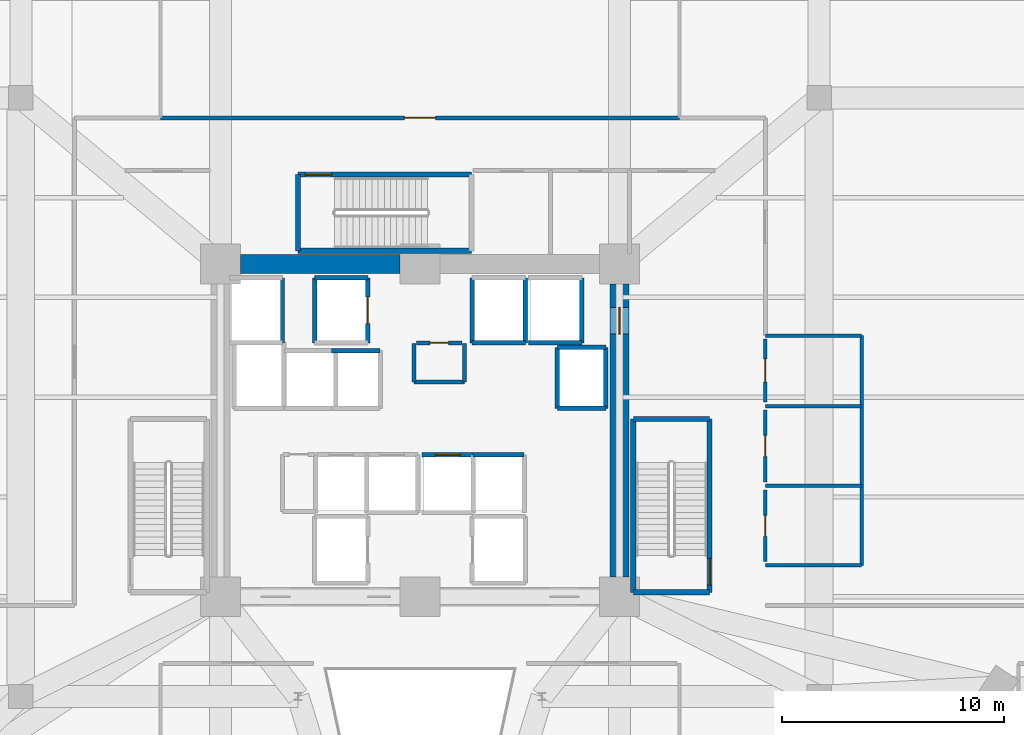
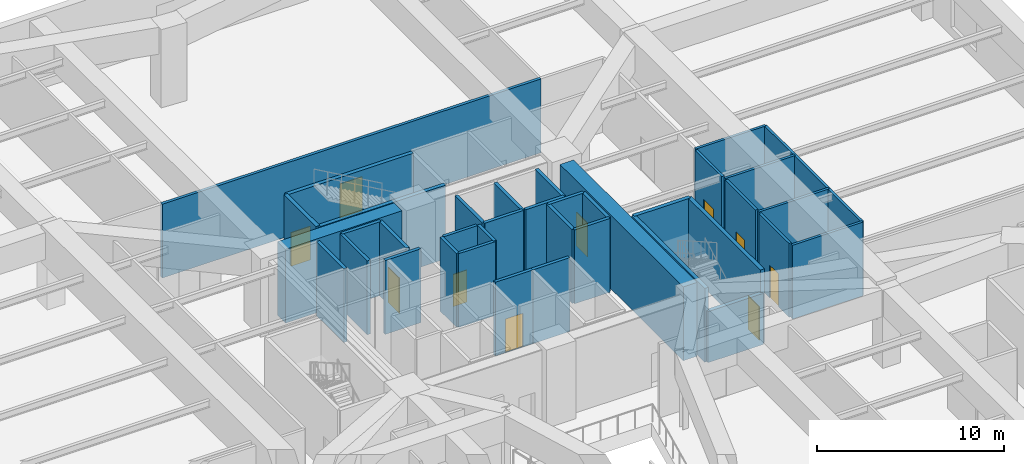
# One storey, part 7 of 14: 38 walls, 10 doors, 10 openings.
"""IFC4 building model written with IfcOpenShell, lengths in metres."""

from ifc_helpers import new_model, si_unit, direction, frame, frame_2d, origin, place, context, subcontext, project, spatial, rectangle, extrude, source, transform, mapped, material, layer, layer_set, type_object, element, fill, save


model = new_model("IFC4")

# Units and contexts
model_context = context("Model", 3, precision=1e-05, world=origin(), true_north=direction((0.0, 1.0)))
body_context = subcontext(model_context, "Body", "Model", "MODEL_VIEW")
ifc_project = project(units=[si_unit("LENGTHUNIT", "METRE"), si_unit("AREAUNIT", "SQUARE_METRE"), si_unit("VOLUMEUNIT", "CUBIC_METRE"), si_unit("PLANEANGLEUNIT", "RADIAN"), si_unit("MASSUNIT", "GRAM", prefix="KILO")], contexts=[model_context])

# Site, building, storey
site_placement = place(None, origin())
site = spatial("IfcSite", under=ifc_project, at=site_placement, CompositionType="ELEMENT")
building_placement = place(site_placement, origin())
building = spatial("IfcBuilding", under=site, at=building_placement, Name="Liaohun Quay Tower", CompositionType="ELEMENT")
storey_placement = place(building_placement, frame((0.0, 0.0, 23.39990234375)))
storey = spatial("IfcBuildingStorey", under=building, at=storey_placement, Name="L06", CompositionType="ELEMENT", Elevation=23.39990234375)

# Wall
ifc_material_1 = material(Name="Concrete C60", Category="concrete")
ifc_layer_1 = layer(ifc_material_1, 0.85009765625, Name="Concrete C60", Category="concrete")
ifc_layer_set_1 = layer_set([ifc_layer_1], Name="Concrete C60")
wall_type_1 = type_object("IfcWallType", Name="WAL-COR-Z1", PredefinedType="SHEAR", material=ifc_layer_set_1)
wall_1_placement = place(storey_placement, frame((51.89990234375, 61.5, 0.0), z_axis=(0.0, 0.0, 1.0), x_axis=(1.0, 0.0, 0.0)))
element("IfcWall", 1, at=wall_1_placement, inside=storey, type_object=wall_type_1, Name="L06 Central Core Shear Wall N-W", PredefinedType="SHEAR", context=body_context, shape_type="SweptSolid", body=[
    extrude(rectangle(XDim=7.2001953125, YDim=0.85009765625, at=frame_2d((3.60009765625, 0.0))), origin(), (0.0, 0.0, 1.0), 4.820068359375),
])

# Wall, opening, door
wall_2_placement = place(storey_placement, frame((69.0, 60.60009765625, 0.0), z_axis=(0.0, 0.0, 1.0), x_axis=(0.0, -1.0, 0.0)))
wall_2 = element("IfcWall", 2, at=wall_2_placement, inside=storey, type_object=wall_type_1, Name="L06 Central Core Shear Wall E", PredefinedType="SHEAR", context=body_context, shape_type="SweptSolid", body=[
    extrude(rectangle(XDim=13.2001953125, YDim=0.85009765625, at=frame_2d((6.60009765625, 0.0))), origin(), (0.0, 0.0, 1.0), 4.820068359375),
])
shared_shape_1 = source(origin(), body_context, "Body", "SweptSolid", [
    extrude(rectangle(XDim=1.199951171875, YDim=2.199951171875, at=frame_2d((0.60009765625, 1.10009765625))), frame((0.0, 0.43505859375, 0.0), z_axis=(0.0, -1.0, 0.0), x_axis=(1.0, 0.0, 0.0)), (0.0, 0.0, 1.0), 0.8701171875),
])
opening_1_placement = place(wall_2_placement, frame((1.050048828125, 0.0, 0.0)))
opening_1 = element("IfcOpeningElement", 3, at=opening_1_placement, cuts=wall_2, Name="Opening SD1", PredefinedType="OPENING", context=body_context, shape_type="MappedRepresentation", body=[
    mapped(shared_shape_1, transform((0.0, 0.0, 0.0), x_axis=(1.0, 0.0, 0.0), y_axis=(0.0, 1.0, 0.0), z_axis=(0.0, 0.0, 1.0), scale=1.0)),
])
ifc_material_2 = material(Name="Galvanised steel fire door", Category="steel")
door_type_1 = type_object("IfcDoorType", Name="DOR-STR-1200", OperationType="NOTDEFINED", PredefinedType="DOOR", material=ifc_material_2)
shared_shape_2 = source(origin(), body_context, "Body", "SweptSolid", [
    extrude(rectangle(XDim=1.199951171875, YDim=2.199951171875, at=frame_2d((0.60009765625, 1.10009765625))), frame((0.0, 0.02490234375, 0.0), z_axis=(0.0, -1.0, 0.0), x_axis=(1.0, 0.0, 0.0)), (0.0, 0.0, 1.0), 0.050048828125),
])
door_1_placement = place(opening_1_placement, origin())
door_1 = element("IfcDoor", 4, at=door_1_placement, inside=storey, type_object=door_type_1, Name="L06 North-East Core Lobby Smokeproof Door", OperationType="SINGLE_SWING_LEFT", OverallHeight=2.199951171875, OverallWidth=1.199951171875, PredefinedType="DOOR", context=body_context, shape_type="MappedRepresentation", body=[
    mapped(shared_shape_2, transform((0.0, 0.0, 0.0), x_axis=(1.0, 0.0, 0.0), y_axis=(0.0, 1.0, 0.0), z_axis=(0.0, 0.0, 1.0), scale=1.0)),
])
fill(opening_1, door_1)

ifc_material_3 = material(Name="Autoclaved aerated concrete blockwork", Category="masonry")
ifc_layer_2 = layer(ifc_material_3, 0.179931640625, Name="Autoclaved aerated concrete blockwork", Category="masonry")
ifc_layer_set_2 = layer_set([ifc_layer_2], Name="Autoclaved aerated concrete blockwork")
wall_type_2 = type_object("IfcWallType", Name="WAL-PRT-COR", PredefinedType="PARTITIONING", material=ifc_layer_set_2)
wall_3_placement = place(storey_placement, frame((59.840087890625, 57.949951171875, 0.0), z_axis=(0.0, 0.0, 1.0), x_axis=(1.0, 0.0, 0.0)))
wall_3 = element("IfcWall", 5, at=wall_3_placement, inside=storey, type_object=wall_type_2, Name="L06 Interior Partition Wall 001", PredefinedType="PARTITIONING", context=body_context, shape_type="SweptSolid", body=[
    extrude(rectangle(XDim=2.059814453125, YDim=0.179931640625, at=frame_2d((1.02978515625, 0.0))), origin(), (0.0, 0.0, 1.0), 4.820068359375),
])
shared_shape_3 = source(origin(), body_context, "Body", "SweptSolid", [
    extrude(rectangle(XDim=0.85009765625, YDim=2.10009765625, at=frame_2d((0.425048828125, 1.050048828125))), frame((0.0, 0.099853515625, 0.0), z_axis=(0.0, -1.0, 0.0), x_axis=(1.0, 0.0, 0.0)), (0.0, 0.0, 1.0), 0.199951171875),
])
opening_2_placement = place(wall_3_placement, frame((0.60498046875, 0.0, 0.0)))
opening_2 = element("IfcOpeningElement", 6, at=opening_2_placement, cuts=wall_3, Name="Opening AD1", PredefinedType="OPENING", context=body_context, shape_type="MappedRepresentation", body=[
    mapped(shared_shape_3, transform((0.0, 0.0, 0.0), x_axis=(1.0, 0.0, 0.0), y_axis=(0.0, 1.0, 0.0), z_axis=(0.0, 0.0, 1.0), scale=1.0)),
])
ifc_material_4 = material(Name="Steel riser inspection fire door", Category="steel")
door_type_2 = type_object("IfcDoorType", Name="DOR-SHF-850", OperationType="NOTDEFINED", PredefinedType="DOOR", material=ifc_material_4)
shared_shape_4 = source(origin(), body_context, "Body", "SweptSolid", [
    extrude(rectangle(XDim=0.85009765625, YDim=2.10009765625, at=frame_2d((0.425048828125, 1.050048828125))), frame((0.0, 0.02490234375, 0.0), z_axis=(0.0, -1.0, 0.0), x_axis=(1.0, 0.0, 0.0)), (0.0, 0.0, 1.0), 0.050048828125),
])
door_2_placement = place(opening_2_placement, origin())
door_2 = element("IfcDoor", 7, at=door_2_placement, inside=storey, type_object=door_type_2, Name="L06 Core Janitor and Cleaner Store Door", OperationType="SINGLE_SWING_RIGHT", OverallHeight=2.10009765625, OverallWidth=0.85009765625, PredefinedType="DOOR", context=body_context, shape_type="MappedRepresentation", body=[
    mapped(shared_shape_4, transform((0.0, 0.0, 0.0), x_axis=(1.0, 0.0, 0.0), y_axis=(0.0, 1.0, 0.0), z_axis=(0.0, 0.0, 1.0), scale=1.0)),
])
fill(opening_2, door_2)

wall_4_placement = place(storey_placement, frame((48.300048828125, 68.10009765625, 0.0), z_axis=(0.0, 0.0, 1.0), x_axis=(1.0, 0.0, 0.0)))
wall_4 = element("IfcWall", 8, at=wall_4_placement, inside=storey, type_object=wall_type_2, Name="L06 Interior Partition Wall 016", PredefinedType="PARTITIONING", context=body_context, shape_type="SweptSolid", body=[
    extrude(rectangle(XDim=23.39990234375, YDim=0.179931640625, at=frame_2d((11.699951171875, 0.0))), origin(), (0.0, 0.0, 1.0), 4.820068359375),
])
shared_shape_5 = source(origin(), body_context, "Body", "SweptSolid", [
    extrude(rectangle(XDim=1.39990234375, YDim=2.25, at=frame_2d((0.699951171875, 1.125))), frame((0.0, 0.099853515625, 0.0), z_axis=(0.0, -1.0, 0.0), x_axis=(1.0, 0.0, 0.0)), (0.0, 0.0, 1.0), 0.199951171875),
])
opening_3_placement = place(wall_4_placement, frame((11.0, 0.0, 0.0)))
opening_3 = element("IfcOpeningElement", 9, at=opening_3_placement, cuts=wall_4, Name="Opening MD1", PredefinedType="OPENING", context=body_context, shape_type="MappedRepresentation", body=[
    mapped(shared_shape_5, transform((0.0, 0.0, 0.0), x_axis=(1.0, 0.0, 0.0), y_axis=(0.0, 1.0, 0.0), z_axis=(0.0, 0.0, 1.0), scale=1.0)),
])
ifc_material_5 = material(Name="Insulated steel plant room door", Category="steel")
door_type_3 = type_object("IfcDoorType", Name="DOR-MEP-1400", OperationType="DOUBLE_DOOR_SINGLE_SWING", PredefinedType="DOOR", material=ifc_material_5)
shared_shape_6 = source(origin(), body_context, "Body", "SweptSolid", [
    extrude(rectangle(XDim=1.39990234375, YDim=2.25, at=frame_2d((0.699951171875, 1.125))), frame((0.0, 0.02490234375, 0.0), z_axis=(0.0, -1.0, 0.0), x_axis=(1.0, 0.0, 0.0)), (0.0, 0.0, 1.0), 0.050048828125),
])
door_3_placement = place(opening_3_placement, origin())
door_3 = element("IfcDoor", 10, at=door_3_placement, inside=storey, type_object=door_type_3, Name="L06 Transfer Mechanical Plant Room Door", OperationType="DOUBLE_DOOR_SINGLE_SWING", OverallHeight=2.25, OverallWidth=1.39990234375, PredefinedType="DOOR", context=body_context, shape_type="MappedRepresentation", body=[
    mapped(shared_shape_6, transform((0.0, 0.0, 0.0), x_axis=(1.0, 0.0, 0.0), y_axis=(0.0, 1.0, 0.0), z_axis=(0.0, 0.0, 1.0), scale=1.0)),
])
fill(opening_3, door_3)

# Walls
for number, where, z_axis, x_axis, name in (
    (11, (59.719970703125, 56.179931640625, 0.0), (0.0, 0.0, 1.0), (0.0, 1.0, 0.0), "L06 Interior Partition Wall 017"),
    (12, (62.010009765625, 56.179931640625, 0.0), (0.0, 0.0, 1.0), (0.0, 1.0, 0.0), "L06 Interior Partition Wall 018"),
):
    element("IfcWall", number, at=place(storey_placement, frame(where, z_axis=z_axis, x_axis=x_axis)), inside=storey, type_object=wall_type_2, Name=name, PredefinedType="PARTITIONING", context=body_context, shape_type="SweptSolid", body=[
        extrude(rectangle(XDim=1.739990234375, YDim=0.179931640625, at=frame_2d((0.8701171875, 0.0))), origin(), (0.0, 0.0, 1.0), 4.820068359375),
    ])
wall_5_placement = place(storey_placement, frame((59.719970703125, 56.179931640625, 0.0), z_axis=(0.0, 0.0, 1.0), x_axis=(1.0, 0.0, 0.0)))
element("IfcWall", 13, at=wall_5_placement, inside=storey, type_object=wall_type_2, Name="L06 Interior Partition Wall 019", PredefinedType="PARTITIONING", context=body_context, shape_type="SweptSolid", body=[
    extrude(rectangle(XDim=2.2900390625, YDim=0.179931640625, at=frame_2d((1.14501953125, 0.0))), origin(), (0.0, 0.0, 1.0), 4.820068359375),
])

# Wall, opening, door
ifc_material_6 = material(Name="Moisture-resistant masonry blockwork", Category="masonry")
ifc_layer_3 = layer(ifc_material_6, 0.159912109375, Name="Moisture-resistant masonry blockwork", Category="masonry")
ifc_layer_set_3 = layer_set([ifc_layer_3], Name="Moisture-resistant masonry blockwork")
wall_type_3 = type_object("IfcWallType", Name="WAL-PRT-WET", PredefinedType="PARTITIONING", material=ifc_layer_set_3)
wall_6_placement = place(storey_placement, frame((75.580078125, 48.080078125, 0.0), z_axis=(0.0, 0.0, 1.0), x_axis=(0.0, 1.0, 0.0)))
wall_6 = element("IfcWall", 14, at=wall_6_placement, inside=storey, type_object=wall_type_3, Name="L06 Interior Partition Wall 003", PredefinedType="PARTITIONING", context=body_context, shape_type="SweptSolid", body=[
    extrude(rectangle(XDim=3.239990234375, YDim=0.159912109375, at=frame_2d((1.6201171875, 0.0))), origin(), (0.0, 0.0, 1.0), 4.820068359375),
])
shared_shape_7 = source(origin(), body_context, "Body", "SweptSolid", [
    extrude(rectangle(XDim=0.949951171875, YDim=2.14990234375, at=frame_2d((0.47509765625, 1.074951171875))), frame((0.0, 0.08984375, 0.0), z_axis=(0.0, -1.0, 0.0), x_axis=(1.0, 0.0, 0.0)), (0.0, 0.0, 1.0), 0.179931640625),
])
opening_4_placement = place(wall_6_placement, frame((1.14501953125, 0.0, 0.0)))
opening_4 = element("IfcOpeningElement", 15, at=opening_4_placement, cuts=wall_6, Name="Opening WD1", PredefinedType="OPENING", context=body_context, shape_type="MappedRepresentation", body=[
    mapped(shared_shape_7, transform((0.0, 0.0, 0.0), x_axis=(1.0, 0.0, 0.0), y_axis=(0.0, 1.0, 0.0), z_axis=(0.0, 0.0, 1.0), scale=1.0)),
])
ifc_material_7 = material(Name="Moisture-resistant laminate timber leaf", Category="wood")
door_type_4 = type_object("IfcDoorType", Name="DOR-WC-950", OperationType="NOTDEFINED", PredefinedType="DOOR", material=ifc_material_7)
shared_shape_8 = source(origin(), body_context, "Body", "SweptSolid", [
    extrude(rectangle(XDim=0.949951171875, YDim=2.14990234375, at=frame_2d((0.47509765625, 1.074951171875))), frame((0.0, 0.02490234375, 0.0), z_axis=(0.0, -1.0, 0.0), x_axis=(1.0, 0.0, 0.0)), (0.0, 0.0, 1.0), 0.050048828125),
])
door_4_placement = place(opening_4_placement, origin())
door_4 = element("IfcDoor", 16, at=door_4_placement, inside=storey, type_object=door_type_4, Name="L06 Podium Male Restroom WC Door", OperationType="SINGLE_SWING_RIGHT", OverallHeight=2.14990234375, OverallWidth=0.949951171875, PredefinedType="DOOR", context=body_context, shape_type="MappedRepresentation", body=[
    mapped(shared_shape_8, transform((0.0, 0.0, 0.0), x_axis=(1.0, 0.0, 0.0), y_axis=(0.0, 1.0, 0.0), z_axis=(0.0, 0.0, 1.0), scale=1.0)),
])
fill(opening_4, door_4)

wall_7_placement = place(storey_placement, frame((75.580078125, 51.679931640625, 0.0), z_axis=(0.0, 0.0, 1.0), x_axis=(0.0, 1.0, 0.0)))
wall_7 = element("IfcWall", 17, at=wall_7_placement, inside=storey, type_object=wall_type_3, Name="L06 Interior Partition Wall 004", PredefinedType="PARTITIONING", context=body_context, shape_type="SweptSolid", body=[
    extrude(rectangle(XDim=3.239990234375, YDim=0.159912109375, at=frame_2d((1.6201171875, 0.0))), origin(), (0.0, 0.0, 1.0), 4.820068359375),
])
opening_5_placement = place(wall_7_placement, frame((1.14501953125, 0.0, 0.0)))
opening_5 = element("IfcOpeningElement", 18, at=opening_5_placement, cuts=wall_7, Name="Opening WD1", PredefinedType="OPENING", context=body_context, shape_type="MappedRepresentation", body=[
    mapped(shared_shape_7, transform((0.0, 0.0, 0.0), x_axis=(1.0, 0.0, 0.0), y_axis=(0.0, 1.0, 0.0), z_axis=(0.0, 0.0, 1.0), scale=1.0)),
])
door_5_placement = place(opening_5_placement, origin())
door_5 = element("IfcDoor", 19, at=door_5_placement, inside=storey, type_object=door_type_4, Name="L06 Podium Female Restroom WC Door", OperationType="SINGLE_SWING_LEFT", OverallHeight=2.14990234375, OverallWidth=0.949951171875, PredefinedType="DOOR", context=body_context, shape_type="MappedRepresentation", body=[
    mapped(shared_shape_8, transform((0.0, 0.0, 0.0), x_axis=(1.0, 0.0, 0.0), y_axis=(0.0, 1.0, 0.0), z_axis=(0.0, 0.0, 1.0), scale=1.0)),
])
fill(opening_5, door_5)

wall_8_placement = place(storey_placement, frame((75.580078125, 55.280029296875, 0.0), z_axis=(0.0, 0.0, 1.0), x_axis=(0.0, 1.0, 0.0)))
wall_8 = element("IfcWall", 20, at=wall_8_placement, inside=storey, type_object=wall_type_3, Name="L06 Interior Partition Wall 005", PredefinedType="PARTITIONING", context=body_context, shape_type="SweptSolid", body=[
    extrude(rectangle(XDim=2.840087890625, YDim=0.159912109375, at=frame_2d((1.419921875, 0.0))), origin(), (0.0, 0.0, 1.0), 4.820068359375),
])
shared_shape_9 = source(origin(), body_context, "Body", "SweptSolid", [
    extrude(rectangle(XDim=1.050048828125, YDim=2.14990234375, at=frame_2d((0.52490234375, 1.074951171875))), frame((0.0, 0.08984375, 0.0), z_axis=(0.0, -1.0, 0.0), x_axis=(1.0, 0.0, 0.0)), (0.0, 0.0, 1.0), 0.179931640625),
])
opening_6_placement = place(wall_8_placement, frame((0.89501953125, 0.0, 0.0)))
opening_6 = element("IfcOpeningElement", 21, at=opening_6_placement, cuts=wall_8, Name="Opening WD2", PredefinedType="OPENING", context=body_context, shape_type="MappedRepresentation", body=[
    mapped(shared_shape_9, transform((0.0, 0.0, 0.0), x_axis=(1.0, 0.0, 0.0), y_axis=(0.0, 1.0, 0.0), z_axis=(0.0, 0.0, 1.0), scale=1.0)),
])
ifc_material_8 = material(Name="Accessible outward-swinging laminate door")
door_type_5 = type_object("IfcDoorType", Name="DOR-AWC-1050", OperationType="NOTDEFINED", PredefinedType="DOOR", material=ifc_material_8)
shared_shape_10 = source(origin(), body_context, "Body", "SweptSolid", [
    extrude(rectangle(XDim=1.050048828125, YDim=2.14990234375, at=frame_2d((0.52490234375, 1.074951171875))), frame((0.0, 0.02490234375, 0.0), z_axis=(0.0, -1.0, 0.0), x_axis=(1.0, 0.0, 0.0)), (0.0, 0.0, 1.0), 0.050048828125),
])
door_6_placement = place(opening_6_placement, origin())
door_6 = element("IfcDoor", 22, at=door_6_placement, inside=storey, type_object=door_type_5, Name="L06 Podium Accessible WC Door", OperationType="SINGLE_SWING_RIGHT", OverallHeight=2.14990234375, OverallWidth=1.050048828125, PredefinedType="DOOR", context=body_context, shape_type="MappedRepresentation", body=[
    mapped(shared_shape_10, transform((0.0, 0.0, 0.0), x_axis=(1.0, 0.0, 0.0), y_axis=(0.0, 1.0, 0.0), z_axis=(0.0, 0.0, 1.0), scale=1.0)),
])
fill(opening_6, door_6)

# Walls
wall_9_placement = place(storey_placement, frame((79.919921875, 47.919921875, 0.0), z_axis=(0.0, 0.0, 1.0), x_axis=(0.0, 1.0, 0.0)))
element("IfcWall", 23, at=wall_9_placement, inside=storey, type_object=wall_type_3, Name="L06 Interior Partition Wall 022", PredefinedType="PARTITIONING", context=body_context, shape_type="SweptSolid", body=[
    extrude(rectangle(XDim=10.360107421875, YDim=0.159912109375, at=frame_2d((5.18017578125, 0.0))), origin(), (0.0, 0.0, 1.0), 4.820068359375),
])
for number, where, z_axis, x_axis, name in (
    (24, (75.580078125, 47.919921875, 0.0), (0.0, 0.0, 1.0), (1.0, 0.0, 0.0), "L06 Interior Partition Wall 023"),
    (25, (75.580078125, 51.5, 0.0), (0.0, 0.0, 1.0), (1.0, 0.0, 0.0), "L06 Interior Partition Wall 024"),
    (26, (75.580078125, 55.10009765625, 0.0), (0.0, 0.0, 1.0), (1.0, 0.0, 0.0), "L06 Interior Partition Wall 025"),
    (27, (75.580078125, 58.280029296875, 0.0), (0.0, 0.0, 1.0), (1.0, 0.0, 0.0), "L06 Interior Partition Wall 026"),
):
    element("IfcWall", number, at=place(storey_placement, frame(where, z_axis=z_axis, x_axis=x_axis)), inside=storey, type_object=wall_type_3, Name=name, PredefinedType="PARTITIONING", context=body_context, shape_type="SweptSolid", body=[
        extrude(rectangle(XDim=4.33984375, YDim=0.159912109375, at=frame_2d((2.169921875, 0.0))), origin(), (0.0, 0.0, 1.0), 4.820068359375),
    ])
ifc_material_9 = material(Name="Concrete C50", Category="concrete")
ifc_layer_4 = layer(ifc_material_9, 0.239990234375, Name="Concrete C50", Category="concrete")
ifc_layer_set_4 = layer_set([ifc_layer_4], Name="Concrete C50")
wall_type_4 = type_object("IfcWallType", Name="WAL-SHF-200", PredefinedType="SOLIDWALL", material=ifc_layer_set_4)
wall_10_placement = place(storey_placement, frame((69.6201171875, 46.699951171875, 0.0), z_axis=(0.0, 0.0, 1.0), x_axis=(1.0, 0.0, 0.0)))
element("IfcWall", 28, at=wall_10_placement, inside=storey, type_object=wall_type_4, Name="L06 Stairwell ST-2 Structural Core Wall S", PredefinedType="SOLIDWALL", context=body_context, shape_type="SweptSolid", body=[
    extrude(rectangle(XDim=3.43994140625, YDim=0.239990234375, at=frame_2d((1.719970703125, 0.0))), origin(), (0.0, 0.0, 1.0), 3.335205078125),
])

# Wall, opening, door
wall_11_placement = place(storey_placement, frame((73.06005859375, 46.699951171875, 0.0), z_axis=(0.0, 0.0, 1.0), x_axis=(0.0, 1.0, 0.0)))
wall_11 = element("IfcWall", 29, at=wall_11_placement, inside=storey, type_object=wall_type_4, Name="L06 Stairwell ST-2 Structural Core Wall E", PredefinedType="SOLIDWALL", context=body_context, shape_type="SweptSolid", body=[
    extrude(rectangle(XDim=7.820068359375, YDim=0.239990234375, at=frame_2d((3.91015625, 0.0))), origin(), (0.0, 0.0, 1.0), 4.820068359375),
])
shared_shape_11 = source(origin(), body_context, "Body", "SweptSolid", [
    extrude(rectangle(XDim=1.199951171875, YDim=2.199951171875, at=frame_2d((0.60009765625, 1.10009765625))), frame((0.0, 0.1298828125, 0.0), z_axis=(0.0, -1.0, 0.0), x_axis=(1.0, 0.0, 0.0)), (0.0, 0.0, 1.0), 0.260009765625),
])
opening_7_placement = place(wall_11_placement, frame((0.320068359375, 0.0, 0.0)))
opening_7 = element("IfcOpeningElement", 30, at=opening_7_placement, cuts=wall_11, Name="Opening SD1", PredefinedType="OPENING", context=body_context, shape_type="MappedRepresentation", body=[
    mapped(shared_shape_11, transform((0.0, 0.0, 0.0), x_axis=(1.0, 0.0, 0.0), y_axis=(0.0, 1.0, 0.0), z_axis=(0.0, 0.0, 1.0), scale=1.0)),
])
door_7_placement = place(opening_7_placement, origin())
door_7 = element("IfcDoor", 31, at=door_7_placement, inside=storey, type_object=door_type_1, Name="L06 Protected Stair ST-2 Fire Door", OperationType="SINGLE_SWING_RIGHT", OverallHeight=2.199951171875, OverallWidth=1.199951171875, PredefinedType="DOOR", context=body_context, shape_type="MappedRepresentation", body=[
    mapped(shared_shape_2, transform((0.0, 0.0, 0.0), x_axis=(1.0, 0.0, 0.0), y_axis=(0.0, 1.0, 0.0), z_axis=(0.0, 0.0, 1.0), scale=1.0)),
])
fill(opening_7, door_7)

# Walls
wall_12_placement = place(storey_placement, frame((73.06005859375, 54.52001953125, 0.0), z_axis=(0.0, 0.0, 1.0), x_axis=(-1.0, 0.0, 0.0)))
element("IfcWall", 32, at=wall_12_placement, inside=storey, type_object=wall_type_4, Name="L06 Stairwell ST-2 Structural Core Wall N", PredefinedType="SOLIDWALL", context=body_context, shape_type="SweptSolid", body=[
    extrude(rectangle(XDim=3.43994140625, YDim=0.239990234375, at=frame_2d((1.719970703125, 0.0))), origin(), (0.0, 0.0, 1.0), 4.820068359375),
])
for number, where, z_axis, x_axis, name in (
    (33, (69.6201171875, 54.52001953125, 0.0), (0.0, 0.0, 1.0), (0.0, -1.0, 0.0), "L06 Stairwell ST-2 Structural Core Wall W"),
    (34, (54.5, 62.10009765625, 0.0), (0.0, 0.0, 1.0), (1.0, 0.0, 0.0), "L06 Stairwell ST-3 Structural Core Wall S"),
):
    element("IfcWall", number, at=place(storey_placement, frame(where, z_axis=z_axis, x_axis=x_axis)), inside=storey, type_object=wall_type_4, Name=name, PredefinedType="SOLIDWALL", context=body_context, shape_type="SweptSolid", body=[
        extrude(rectangle(XDim=7.820068359375, YDim=0.239990234375, at=frame_2d((3.91015625, 0.0))), origin(), (0.0, 0.0, 1.0), 4.820068359375),
    ])

# Wall, opening, door
wall_13_placement = place(storey_placement, frame((62.320068359375, 65.5400390625, 0.0), z_axis=(0.0, 0.0, 1.0), x_axis=(-1.0, 0.0, 0.0)))
wall_13 = element("IfcWall", 35, at=wall_13_placement, inside=storey, type_object=wall_type_4, Name="L06 Stairwell ST-3 Structural Core Wall N", PredefinedType="SOLIDWALL", context=body_context, shape_type="SweptSolid", body=[
    extrude(rectangle(XDim=7.820068359375, YDim=0.239990234375, at=frame_2d((3.91015625, 0.0))), origin(), (0.0, 0.0, 1.0), 4.820068359375),
])
opening_8_placement = place(wall_13_placement, frame((6.300048828125, 0.0, 0.0)))
opening_8 = element("IfcOpeningElement", 36, at=opening_8_placement, cuts=wall_13, Name="Opening SD1", PredefinedType="OPENING", context=body_context, shape_type="MappedRepresentation", body=[
    mapped(shared_shape_11, transform((0.0, 0.0, 0.0), x_axis=(1.0, 0.0, 0.0), y_axis=(0.0, 1.0, 0.0), z_axis=(0.0, 0.0, 1.0), scale=1.0)),
])
door_8_placement = place(opening_8_placement, origin())
door_8 = element("IfcDoor", 37, at=door_8_placement, inside=storey, type_object=door_type_1, Name="L06 Protected Stair ST-3 Fire Door", OperationType="SINGLE_SWING_RIGHT", OverallHeight=2.199951171875, OverallWidth=1.199951171875, PredefinedType="DOOR", context=body_context, shape_type="MappedRepresentation", body=[
    mapped(shared_shape_2, transform((0.0, 0.0, 0.0), x_axis=(1.0, 0.0, 0.0), y_axis=(0.0, 1.0, 0.0), z_axis=(0.0, 0.0, 1.0), scale=1.0)),
])
fill(opening_8, door_8)

# Wall
wall_14_placement = place(storey_placement, frame((54.5, 65.5400390625, 0.0), z_axis=(0.0, 0.0, 1.0), x_axis=(0.0, -1.0, 0.0)))
element("IfcWall", 38, at=wall_14_placement, inside=storey, type_object=wall_type_4, Name="L06 Stairwell ST-3 Structural Core Wall W", PredefinedType="SOLIDWALL", context=body_context, shape_type="SweptSolid", body=[
    extrude(rectangle(XDim=3.43994140625, YDim=0.239990234375, at=frame_2d((1.719970703125, 0.0))), origin(), (0.0, 0.0, 1.0), 4.820068359375),
])

# Wall, opening, door
wall_15_placement = place(storey_placement, frame((57.64990234375, 57.949951171875, 0.0), z_axis=(0.0, 0.0, 1.0), x_axis=(0.0, 1.0, 0.0)))
wall_15 = element("IfcWall", 39, at=wall_15_placement, inside=storey, type_object=wall_type_4, Name="L06 Lift FF-03 Hoistway Wall E", PredefinedType="SOLIDWALL", context=body_context, shape_type="SweptSolid", body=[
    extrude(rectangle(XDim=2.929931640625, YDim=0.199951171875, at=frame_2d((1.46484375, 0.0))), origin(), (0.0, 0.0, 1.0), 4.820068359375),
])
shared_shape_12 = source(origin(), body_context, "Body", "SweptSolid", [
    extrude(rectangle(XDim=1.199951171875, YDim=2.300048828125, at=frame_2d((0.60009765625, 1.14990234375))), frame((0.0, 0.10986328125, 0.0), z_axis=(0.0, -1.0, 0.0), x_axis=(1.0, 0.0, 0.0)), (0.0, 0.0, 1.0), 0.219970703125),
])
opening_9_placement = place(wall_15_placement, frame((0.864990234375, 0.0, 0.0)))
opening_9 = element("IfcOpeningElement", 40, at=opening_9_placement, cuts=wall_15, Name="Opening LD2", PredefinedType="OPENING", context=body_context, shape_type="MappedRepresentation", body=[
    mapped(shared_shape_12, transform((0.0, 0.0, 0.0), x_axis=(1.0, 0.0, 0.0), y_axis=(0.0, 1.0, 0.0), z_axis=(0.0, 0.0, 1.0), scale=1.0)),
])
ifc_material_10 = material(Name="Brushed stainless steel stretcher landing door", Category="steel")
door_type_6 = type_object("IfcDoorType", Name="DOR-LFT-1200", OperationType="SLIDING_TO_LEFT", PredefinedType="DOOR", material=ifc_material_10)
shared_shape_13 = source(origin(), body_context, "Body", "SweptSolid", [
    extrude(rectangle(XDim=1.199951171875, YDim=2.300048828125, at=frame_2d((0.60009765625, 1.14990234375))), frame((0.0, 0.02490234375, 0.0), z_axis=(0.0, -1.0, 0.0), x_axis=(1.0, 0.0, 0.0)), (0.0, 0.0, 1.0), 0.050048828125),
])
door_9_placement = place(opening_9_placement, origin())
door_9 = element("IfcDoor", 41, at=door_9_placement, inside=storey, type_object=door_type_6, Name="L06 Lift FF-03 Sliding Landing Door", OperationType="SLIDING_TO_LEFT", OverallHeight=2.300048828125, OverallWidth=1.199951171875, PredefinedType="DOOR", context=body_context, shape_type="MappedRepresentation", body=[
    mapped(shared_shape_13, transform((0.0, 0.0, 0.0), x_axis=(1.0, 0.0, 0.0), y_axis=(0.0, 1.0, 0.0), z_axis=(0.0, 0.0, 1.0), scale=1.0)),
])
fill(opening_9, door_9)

# Walls
wall_16_placement = place(storey_placement, frame((57.64990234375, 60.8798828125, 0.0), z_axis=(0.0, 0.0, 1.0), x_axis=(-1.0, 0.0, 0.0)))
element("IfcWall", 42, at=wall_16_placement, inside=storey, type_object=wall_type_4, Name="L06 Lift FF-03 Hoistway Wall N", PredefinedType="SOLIDWALL", context=body_context, shape_type="SweptSolid", body=[
    extrude(rectangle(XDim=2.39990234375, YDim=0.199951171875, at=frame_2d((1.199951171875, 0.0))), origin(), (0.0, 0.0, 1.0), 4.820068359375),
])
wall_17_placement = place(storey_placement, frame((55.25, 60.8798828125, 0.0), z_axis=(0.0, 0.0, 1.0), x_axis=(0.0, -1.0, 0.0)))
element("IfcWall", 43, at=wall_17_placement, inside=storey, type_object=wall_type_4, Name="L06 Lift FF-03 Hoistway Wall W", PredefinedType="SOLIDWALL", context=body_context, shape_type="SweptSolid", body=[
    extrude(rectangle(XDim=2.929931640625, YDim=0.199951171875, at=frame_2d((1.46484375, 0.0))), origin(), (0.0, 0.0, 1.0), 4.820068359375),
])
wall_18_placement = place(storey_placement, frame((62.35009765625, 57.949951171875, 0.0), z_axis=(0.0, 0.0, 1.0), x_axis=(1.0, 0.0, 0.0)))
element("IfcWall", 44, at=wall_18_placement, inside=storey, type_object=wall_type_4, Name="L06 Lift OB-01 Hoistway Wall S", PredefinedType="SOLIDWALL", context=body_context, shape_type="SweptSolid", body=[
    extrude(rectangle(XDim=2.39990234375, YDim=0.199951171875, at=frame_2d((1.199951171875, 0.0))), origin(), (0.0, 0.0, 1.0), 4.820068359375),
])
for number, where, z_axis, x_axis, name in (
    (45, (64.75, 57.949951171875, 0.0), (0.0, 0.0, 1.0), (0.0, 1.0, 0.0), "L06 Lift OB-01 Hoistway Wall E"),
    (46, (62.35009765625, 60.8798828125, 0.0), (0.0, 0.0, 1.0), (0.0, -1.0, 0.0), "L06 Lift OB-01 Hoistway Wall W"),
):
    element("IfcWall", number, at=place(storey_placement, frame(where, z_axis=z_axis, x_axis=x_axis)), inside=storey, type_object=wall_type_4, Name=name, PredefinedType="SOLIDWALL", context=body_context, shape_type="SweptSolid", body=[
        extrude(rectangle(XDim=2.929931640625, YDim=0.199951171875, at=frame_2d((1.46484375, 0.0))), origin(), (0.0, 0.0, 1.0), 4.820068359375),
    ])
wall_19_placement = place(storey_placement, frame((64.89990234375, 57.949951171875, 0.0), z_axis=(0.0, 0.0, 1.0), x_axis=(1.0, 0.0, 0.0)))
element("IfcWall", 47, at=wall_19_placement, inside=storey, type_object=wall_type_4, Name="L06 Lift OB-02 Hoistway Wall S", PredefinedType="SOLIDWALL", context=body_context, shape_type="SweptSolid", body=[
    extrude(rectangle(XDim=2.400146484375, YDim=0.199951171875, at=frame_2d((1.2001953125, 0.0))), origin(), (0.0, 0.0, 1.0), 4.820068359375),
])
for number, where, z_axis, x_axis, name in (
    (48, (67.300048828125, 57.949951171875, 0.0), (0.0, 0.0, 1.0), (0.0, 1.0, 0.0), "L06 Lift OB-02 Hoistway Wall E"),
    (49, (53.800048828125, 57.949951171875, 0.0), (0.0, 0.0, 1.0), (0.0, 1.0, 0.0), "L06 Lift SH-01 Hoistway Wall E"),
):
    element("IfcWall", number, at=place(storey_placement, frame(where, z_axis=z_axis, x_axis=x_axis)), inside=storey, type_object=wall_type_4, Name=name, PredefinedType="SOLIDWALL", context=body_context, shape_type="SweptSolid", body=[
        extrude(rectangle(XDim=2.929931640625, YDim=0.199951171875, at=frame_2d((1.46484375, 0.0))), origin(), (0.0, 0.0, 1.0), 4.820068359375),
    ])
wall_20_placement = place(storey_placement, frame((66.199951171875, 55.0, 0.0), z_axis=(0.0, 0.0, 1.0), x_axis=(1.0, 0.0, 0.0)))
element("IfcWall", 50, at=wall_20_placement, inside=storey, type_object=wall_type_4, Name="L06 Lift SH-03 Hoistway Wall S", PredefinedType="SOLIDWALL", context=body_context, shape_type="SweptSolid", body=[
    extrude(rectangle(XDim=2.179931640625, YDim=0.199951171875, at=frame_2d((1.08984375, 0.0))), origin(), (0.0, 0.0, 1.0), 4.820068359375),
])
wall_21_placement = place(storey_placement, frame((68.3798828125, 55.0, 0.0), z_axis=(0.0, 0.0, 1.0), x_axis=(0.0, 1.0, 0.0)))
element("IfcWall", 51, at=wall_21_placement, inside=storey, type_object=wall_type_4, Name="L06 Lift SH-03 Hoistway Wall E", PredefinedType="SOLIDWALL", context=body_context, shape_type="SweptSolid", body=[
    extrude(rectangle(XDim=2.75, YDim=0.199951171875, at=frame_2d((1.375, 0.0))), origin(), (0.0, 0.0, 1.0), 4.820068359375),
])
wall_22_placement = place(storey_placement, frame((68.3798828125, 57.75, 0.0), z_axis=(0.0, 0.0, 1.0), x_axis=(-1.0, 0.0, 0.0)))
element("IfcWall", 52, at=wall_22_placement, inside=storey, type_object=wall_type_4, Name="L06 Lift SH-03 Hoistway Wall N", PredefinedType="SOLIDWALL", context=body_context, shape_type="SweptSolid", body=[
    extrude(rectangle(XDim=2.179931640625, YDim=0.199951171875, at=frame_2d((1.08984375, 0.0))), origin(), (0.0, 0.0, 1.0), 4.820068359375),
])
wall_23_placement = place(storey_placement, frame((66.199951171875, 57.75, 0.0), z_axis=(0.0, 0.0, 1.0), x_axis=(0.0, -1.0, 0.0)))
element("IfcWall", 53, at=wall_23_placement, inside=storey, type_object=wall_type_4, Name="L06 Lift SH-03 Hoistway Wall W", PredefinedType="SOLIDWALL", context=body_context, shape_type="SweptSolid", body=[
    extrude(rectangle(XDim=2.75, YDim=0.199951171875, at=frame_2d((1.375, 0.0))), origin(), (0.0, 0.0, 1.0), 4.820068359375),
])

# Wall, opening, door
wall_24_placement = place(storey_placement, frame((62.39990234375, 52.89990234375, 0.0), z_axis=(0.0, 0.0, 1.0), x_axis=(-1.0, 0.0, 0.0)))
wall_24 = element("IfcWall", 54, at=wall_24_placement, inside=storey, type_object=wall_type_4, Name="L06 Lift PL-1C Hoistway Wall N", PredefinedType="SOLIDWALL", context=body_context, shape_type="SweptSolid", body=[
    extrude(rectangle(XDim=2.2998046875, YDim=0.199951171875, at=frame_2d((1.14990234375, 0.0))), origin(), (0.0, 0.0, 1.0), 4.820068359375),
])
shared_shape_14 = source(origin(), body_context, "Body", "SweptSolid", [
    extrude(rectangle(XDim=1.10009765625, YDim=2.199951171875, at=frame_2d((0.550048828125, 1.10009765625))), frame((0.0, 0.10986328125, 0.0), z_axis=(0.0, -1.0, 0.0), x_axis=(1.0, 0.0, 0.0)), (0.0, 0.0, 1.0), 0.219970703125),
])
opening_10_placement = place(wall_24_placement, frame((0.60009765625, 0.0, 0.0)))
opening_10 = element("IfcOpeningElement", 55, at=opening_10_placement, cuts=wall_24, Name="Opening LD1", PredefinedType="OPENING", context=body_context, shape_type="MappedRepresentation", body=[
    mapped(shared_shape_14, transform((0.0, 0.0, 0.0), x_axis=(1.0, 0.0, 0.0), y_axis=(0.0, 1.0, 0.0), z_axis=(0.0, 0.0, 1.0), scale=1.0)),
])
ifc_material_11 = material(Name="Brushed stainless steel landing door", Category="steel")
door_type_7 = type_object("IfcDoorType", Name="DOR-LFT-1100", OperationType="SLIDING_TO_LEFT", PredefinedType="DOOR", material=ifc_material_11)
shared_shape_15 = source(origin(), body_context, "Body", "SweptSolid", [
    extrude(rectangle(XDim=1.10009765625, YDim=2.199951171875, at=frame_2d((0.550048828125, 1.10009765625))), frame((0.0, 0.02490234375, 0.0), z_axis=(0.0, -1.0, 0.0), x_axis=(1.0, 0.0, 0.0)), (0.0, 0.0, 1.0), 0.050048828125),
])
door_10_placement = place(opening_10_placement, origin())
door_10 = element("IfcDoor", 56, at=door_10_placement, inside=storey, type_object=door_type_7, Name="L06 Lift PL-1C Sliding Landing Door", OperationType="SLIDING_TO_LEFT", OverallHeight=2.199951171875, OverallWidth=1.10009765625, PredefinedType="DOOR", context=body_context, shape_type="MappedRepresentation", body=[
    mapped(shared_shape_15, transform((0.0, 0.0, 0.0), x_axis=(1.0, 0.0, 0.0), y_axis=(0.0, 1.0, 0.0), z_axis=(0.0, 0.0, 1.0), scale=1.0)),
])
fill(opening_10, door_10)

# Walls
wall_25_placement = place(storey_placement, frame((64.699951171875, 52.89990234375, 0.0), z_axis=(0.0, 0.0, 1.0), x_axis=(-1.0, 0.0, 0.0)))
element("IfcWall", 57, at=wall_25_placement, inside=storey, type_object=wall_type_4, Name="L06 Lift PL-2A Hoistway Wall N", PredefinedType="SOLIDWALL", context=body_context, shape_type="SweptSolid", body=[
    extrude(rectangle(XDim=2.300048828125, YDim=0.199951171875, at=frame_2d((1.14990234375, 0.0))), origin(), (0.0, 0.0, 1.0), 4.820068359375),
])
wall_26_placement = place(storey_placement, frame((58.199951171875, 57.60009765625, 0.0), z_axis=(0.0, 0.0, 1.0), x_axis=(-1.0, 0.0, 0.0)))
element("IfcWall", 58, at=wall_26_placement, inside=storey, type_object=wall_type_4, Name="L06 Lift PL-2C Hoistway Wall N", PredefinedType="SOLIDWALL", context=body_context, shape_type="SweptSolid", body=[
    extrude(rectangle(XDim=2.199951171875, YDim=0.199951171875, at=frame_2d((1.10009765625, 0.0))), origin(), (0.0, 0.0, 1.0), 4.820068359375),
])

save(model, "model.ifc")
